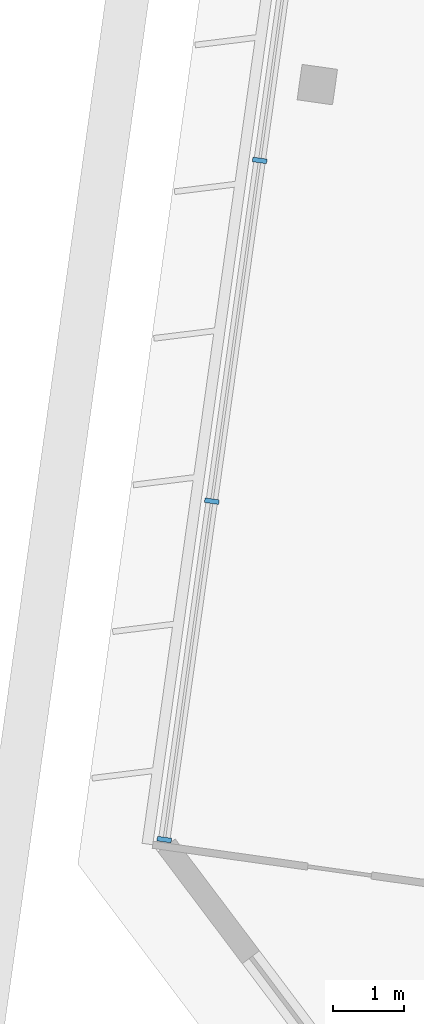
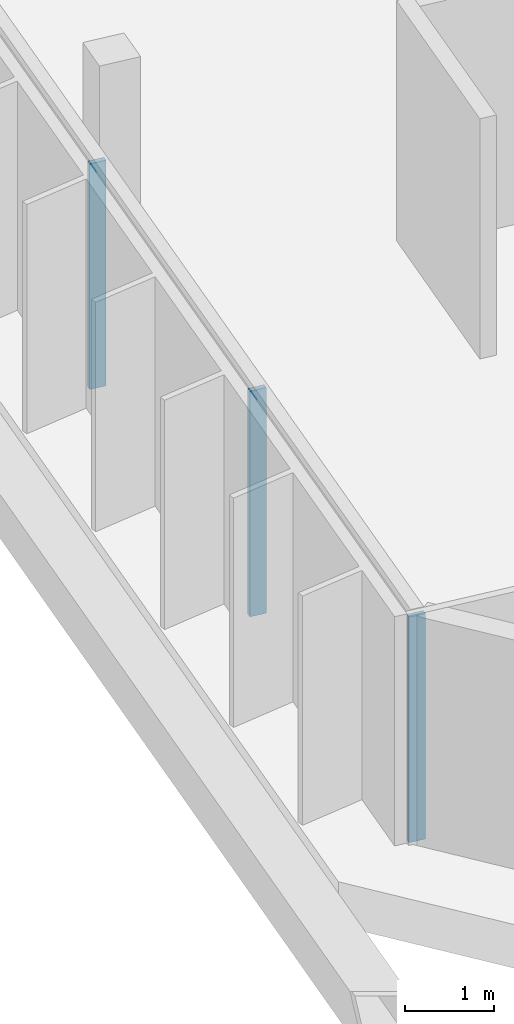
# One storey, part 2 of 36: 3 members, 1 element without a shape of its own.
"""IFC4 building model written with IfcOpenShell, lengths in metres."""

import ifcopenshell
import ifcopenshell.guid

model = None  # the IFC model being written
_history = None  # IfcOwnerHistory: only IFC2X3 demands one
_inside = {}  # id of a spatial element -> (the spatial element, [elements in it])
_under = {}  # id of a project, library or spatial element -> (it, [spatial elements below it])
_declared = {}  # id of a project -> (the project, [libraries it declares])
_typed = {}  # id of a type object -> (the type object, [elements of that type])
_made_of = {}  # id of a material, layer set ... -> (it, [elements and type objects made of it])


def new_model(schema):
    """Start an empty IFC model of exactly this schema.

    Asked for "IFC4X3", IfcOpenShell would pick the latest addendum, in which some entities
    have other attributes; the version numbers below select the first issue.
    IFC2X3 requires an IfcOwnerHistory on every rooted entity: one is made here for all.
    """
    global model, _history
    if schema == "IFC4X3":
        model = ifcopenshell.file(schema_version=(4, 3, 0, 0))
    else:
        model = ifcopenshell.file(schema=schema)
    _inside.clear()
    _under.clear()
    _declared.clear()
    _typed.clear()
    _made_of.clear()
    _history = None
    if model.schema == "IFC2X3":
        org = make("IfcOrganization", Name="unknown")
        user = make(
            "IfcPersonAndOrganization",
            ThePerson=make("IfcPerson", FamilyName="unknown"),
            TheOrganization=org,
        )
        app = make(
            "IfcApplication",
            ApplicationDeveloper=org,
            Version="unknown",
            ApplicationFullName="unknown",
            ApplicationIdentifier="unknown",
        )
        _history = make(
            "IfcOwnerHistory",
            OwningUser=user,
            OwningApplication=app,
            ChangeAction="ADDED",
            CreationDate=0,
        )
    return model


def make(cls, **values):
    """One entity of the class cls with the attributes given. An attribute that is None is left unset."""
    return model.create_entity(
        cls, **{name: value for name, value in values.items() if value is not None}
    )


def rooted(cls, **values):
    """An entity with a GlobalId (a new one), such as an element, a storey or a relation."""
    return make(cls, GlobalId=ifcopenshell.guid.new(), OwnerHistory=_history, **values)


def si_unit(unit_type, name, prefix=None):
    """IfcSIUnit, for example si_unit("LENGTHUNIT", "METRE", prefix="MILLI")."""
    return make("IfcSIUnit", UnitType=unit_type, Prefix=prefix, Name=name)


def assignment(units):
    """IfcUnitAssignment: the units of a project."""
    return None if units is None else make("IfcUnitAssignment", Units=units)


def point(xyz):
    """IfcCartesianPoint."""
    return None if xyz is None else make("IfcCartesianPoint", Coordinates=xyz)


def direction(xyz):
    """IfcDirection."""
    return None if xyz is None else make("IfcDirection", DirectionRatios=xyz)


def frame(location, z_axis=None, x_axis=None):
    """IfcAxis2Placement3D, a coordinate frame: its origin and axes. An axis left out is left unset."""
    return make(
        "IfcAxis2Placement3D",
        Location=point(location),
        Axis=direction(z_axis),
        RefDirection=direction(x_axis),
    )


def frame_2d(location, x_axis=None):
    """IfcAxis2Placement2D, a coordinate frame in the plane: its origin and x axis."""
    return make(
        "IfcAxis2Placement2D", Location=point(location), RefDirection=direction(x_axis)
    )


def origin():
    """The frame at (0, 0, 0) with its axes left unset."""
    return frame((0.0, 0.0, 0.0))


def origin_2d():
    """The frame at (0, 0) in the plane with its x axis left unset."""
    return frame_2d((0.0, 0.0))


def place(relative_to, where):
    """IfcLocalPlacement: puts the frame where relative to a parent placement (None: the world)."""
    return make(
        "IfcLocalPlacement", PlacementRelTo=relative_to, RelativePlacement=where
    )


def context(
    kind, dimensions, precision=None, world=None, true_north=None, identifier=None
):
    """IfcGeometricRepresentationContext, for example the 3D "Model" context."""
    return make(
        "IfcGeometricRepresentationContext",
        ContextIdentifier=identifier,
        ContextType=kind,
        CoordinateSpaceDimension=dimensions,
        Precision=precision,
        WorldCoordinateSystem=world,
        TrueNorth=true_north,
    )


def subcontext(parent, identifier, kind, view, scale=None):
    """IfcGeometricRepresentationSubContext, for example "Body" below "Model"."""
    return make(
        "IfcGeometricRepresentationSubContext",
        ContextIdentifier=identifier,
        ContextType=kind,
        ParentContext=parent,
        TargetScale=scale,
        TargetView=view,
    )


def project(units=None, contexts=None):
    """IfcProject with its units and contexts."""
    return rooted(
        "IfcProject",
        Name="project",
        RepresentationContexts=contexts,
        UnitsInContext=assignment(units),
    )


def spatial(cls, under=None, at=None, **own):
    """A site, building, storey or space (cls), placed at a placement, below another one or the project."""
    s = rooted(cls, ObjectPlacement=at, **own)
    if under is not None:
        _under.setdefault(under.id(), (under, []))[1].append(s)
    return s


def profile(cls, at=None, kind="AREA", **sizes):
    """A parametric profile (cls). Its sizes go by their IFC names, for example OverallWidth=200.0."""
    return make(cls, ProfileType=kind, Position=at, **sizes)


def rectangle(**sizes):
    """IfcRectangleProfileDef."""
    return profile("IfcRectangleProfileDef", **sizes)


def extrude(swept, where, along, depth):
    """IfcExtrudedAreaSolid: the profile swept, set in the frame where, extruded along a direction by depth."""
    return make(
        "IfcExtrudedAreaSolid",
        SweptArea=swept,
        Position=where,
        ExtrudedDirection=direction(along),
        Depth=depth,
    )


def shape(context_of_items, identifier, shape_type, items):
    """IfcShapeRepresentation: the items that make up one representation, for example the "Body"."""
    return make(
        "IfcShapeRepresentation",
        ContextOfItems=context_of_items,
        RepresentationIdentifier=identifier,
        RepresentationType=shape_type,
        Items=items,
    )


def material(Name=None, Category=None):
    """IfcMaterial."""
    return make("IfcMaterial", Name=Name, Category=Category)


def material_profile(
    of_material, cross_section, Name=None, Category=None, Priority=None
):
    """IfcMaterialProfile: a cross section and its material."""
    return make(
        "IfcMaterialProfile",
        Name=Name,
        Material=of_material,
        Profile=cross_section,
        Priority=Priority,
        Category=Category,
    )


def profile_set(profiles, Name=None, composite=None):
    """IfcMaterialProfileSet."""
    return make(
        "IfcMaterialProfileSet",
        Name=Name,
        MaterialProfiles=profiles,
        CompositeProfile=composite,
    )


def made_of(thing, what):
    """Note that an element or type object is made of a material, layer set ...; save() writes the relation."""
    if what is not None:
        _made_of.setdefault(what.id(), (what, []))[1].append(thing)
    return thing


def type_object(cls, material=None, **own):
    """A type object (cls), such as IfcWallType, which elements share."""
    return made_of(rooted(cls, **own), material)


def element(
    cls,
    number,
    at=None,
    inside=None,
    cuts=None,
    type_object=None,
    material=None,
    context=None,
    identifier="Body",
    shape_type=None,
    held_by="IfcProductDefinitionShape",
    body=None,
    shapes=None,
    **own,
):
    """One element of the class cls, such as IfcWall. Its Tag is "e" and its number.

    at: its placement. inside: the storey or other place that contains it. cuts: it is an
    opening in that element (IfcRelVoidsElement). A single representation is given by context,
    identifier, shape_type and body (its items); several are given by shapes. held_by: the class
    of the entity that holds the representations. save() writes the other relations.
    """
    e = rooted(cls, Tag="e%d" % number, ObjectPlacement=at, **own)
    if body is not None:
        shapes = [shape(context, identifier, shape_type, body)]
    if shapes is not None:
        e.Representation = make(held_by, Representations=shapes)
    if inside is not None:
        _inside.setdefault(inside.id(), (inside, []))[1].append(e)
    if cuts is not None:
        rooted(
            "IfcRelVoidsElement", RelatingBuildingElement=cuts, RelatedOpeningElement=e
        )
    if type_object is not None:
        _typed.setdefault(type_object.id(), (type_object, []))[1].append(e)
    return made_of(e, material)


def aggregate(whole, parts):
    """IfcRelAggregates: a whole, such as a stair, and the parts it consists of."""
    return rooted("IfcRelAggregates", RelatingObject=whole, RelatedObjects=parts)


def save(model, path):
    """Write the relations noted so far, then the file.

    IfcRelAggregates (storeys below a building ...), IfcRelContainedInSpatialStructure (elements
    in a storey), IfcRelDefinesByType, IfcRelAssociatesMaterial and IfcRelDeclares: one each for
    every whole, place, type object, material and project.
    """
    for whole, parts in _under.values():
        aggregate(whole, parts)
    for where, things in _inside.values():
        rooted(
            "IfcRelContainedInSpatialStructure",
            RelatedElements=things,
            RelatingStructure=where,
        )
    for kind, things in _typed.values():
        rooted("IfcRelDefinesByType", RelatedObjects=things, RelatingType=kind)
    for what, things in _made_of.values():
        rooted("IfcRelAssociatesMaterial", RelatedObjects=things, RelatingMaterial=what)
    for by, libraries in _declared.values():
        rooted("IfcRelDeclares", RelatingContext=by, RelatedDefinitions=libraries)
    model.write(path)


model = new_model("IFC4")

# Units and contexts
model_context = context("Model", 3, precision=1e-05, world=origin(), true_north=direction((0.0, 1.0)))
body_context = subcontext(model_context, "Body", "Model", "MODEL_VIEW")
ifc_project = project(units=[si_unit("LENGTHUNIT", "METRE"), si_unit("AREAUNIT", "SQUARE_METRE"), si_unit("VOLUMEUNIT", "CUBIC_METRE"), si_unit("PLANEANGLEUNIT", "RADIAN"), si_unit("MASSUNIT", "GRAM", prefix="KILO")], contexts=[model_context])

# Site, building, storey
site_placement = place(None, origin())
site = spatial("IfcSite", under=ifc_project, at=site_placement, CompositionType="ELEMENT")
building_placement = place(site_placement, origin())
building = spatial("IfcBuilding", under=site, at=building_placement, Name="Mirante Cascada Hotel Towers", CompositionType="ELEMENT")
storey_placement = place(building_placement, frame((0.0, 0.0, 254.6)))
storey = spatial("IfcBuildingStorey", under=building, at=storey_placement, Name="L61", CompositionType="ELEMENT", Elevation=254.6)

# Curtain wall, members
ifc_material_1 = material(Name="Aluminium mullion and transom frame with clear laminated glass", Category="aluminium")
curtain_wall_type = type_object("IfcCurtainWallType", Name="End ribbon curtain wall ECW2", PredefinedType="NOTDEFINED", material=ifc_material_1)
curtain_wall_placement = place(storey_placement, origin())
curtain_wall = element("IfcCurtainWall", 1, at=curtain_wall_placement, inside=storey, type_object=curtain_wall_type, Name="Outer end wall T1 L61", PredefinedType="NOTDEFINED")
ifc_material_2 = material(Name="Anodised aluminium extrusion", Category="aluminium")
ifc_material_profile = material_profile(ifc_material_2, rectangle(XDim=0.2, YDim=0.065, at=origin_2d()), Name="ECW2 MULLION 65x200")
ifc_profile_set = profile_set([ifc_material_profile], Name="Anodised aluminium extrusion")
member_type = type_object("IfcMemberType", Name="ECW2 mullion 65x200", PredefinedType="MULLION", material=ifc_profile_set)
member_1_placement = place(storey_placement, frame((-58.5935, -12.5284, 0.1), z_axis=(0.0, 0.0, 1.0), x_axis=(-0.9902681, 0.1391731, 0.0)))
member_1 = element("IfcMember", 2, at=member_1_placement, type_object=member_type, Name="ECW2 mullion 1", PredefinedType="MULLION", context=body_context, shape_type="SweptSolid", body=[
    extrude(rectangle(XDim=0.2, YDim=0.065, at=origin_2d()), origin(), (0.0, 0.0, 1.0), 3.1),
])
member_2_placement = place(storey_placement, frame((-57.9283, -7.7948, 0.1), z_axis=(0.0, 0.0, 1.0), x_axis=(-0.9902681, 0.1391731, 0.0)))
member_2 = element("IfcMember", 3, at=member_2_placement, type_object=member_type, Name="ECW2 mullion 2", PredefinedType="MULLION", context=body_context, shape_type="SweptSolid", body=[
    extrude(rectangle(XDim=0.2, YDim=0.065, at=origin_2d()), origin(), (0.0, 0.0, 1.0), 3.1),
])
member_3_placement = place(storey_placement, frame((-57.2585, -3.029, 0.1), z_axis=(0.0, 0.0, 1.0), x_axis=(-0.9902681, 0.1391731, 0.0)))
member_3 = element("IfcMember", 4, at=member_3_placement, type_object=member_type, Name="ECW2 mullion 3", PredefinedType="MULLION", context=body_context, shape_type="SweptSolid", body=[
    extrude(rectangle(XDim=0.2, YDim=0.065, at=origin_2d()), origin(), (0.0, 0.0, 1.0), 3.1),
])
aggregate(curtain_wall, [member_1, member_2, member_3])

save(model, "model.ifc")
